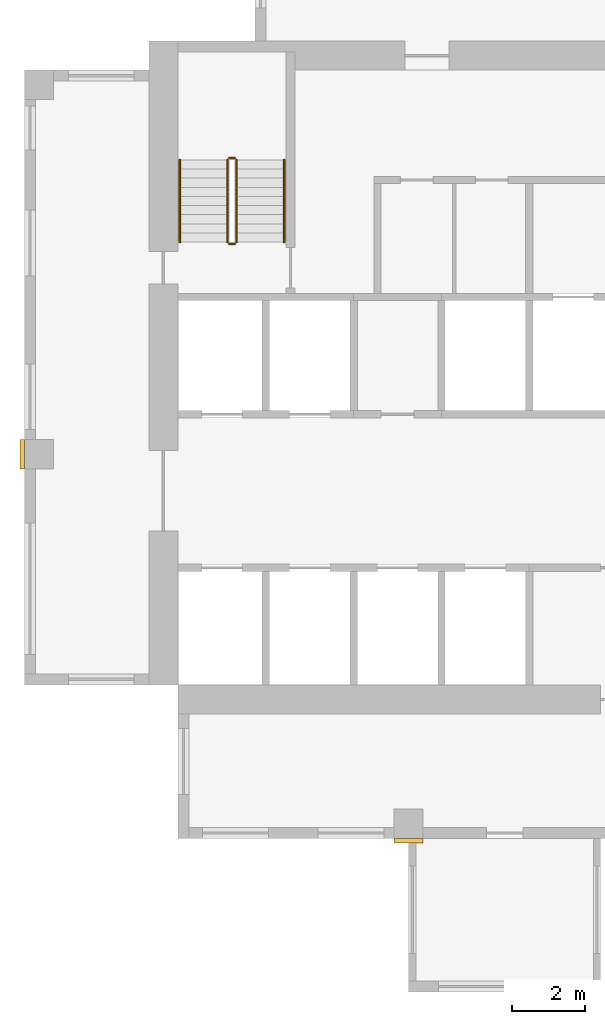
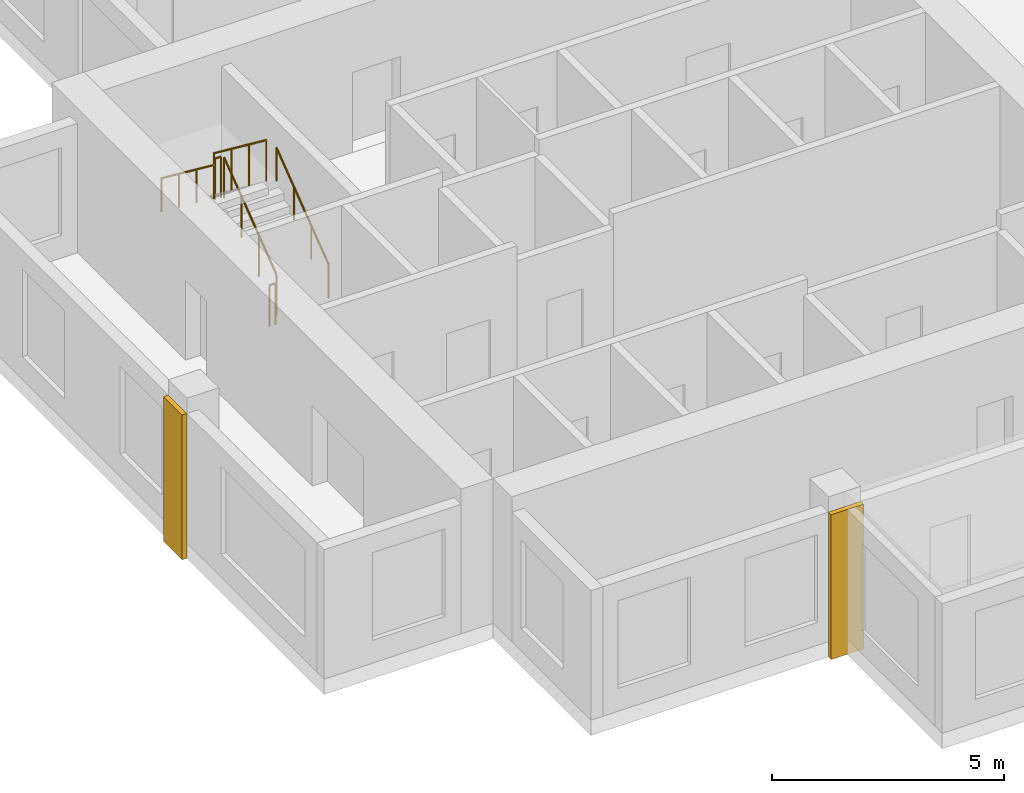
# One storey, part 9 of 11: 6 railings, 2 coverings.
"""IFC4 building model written with IfcOpenShell, lengths in metres."""

import ifcopenshell
import ifcopenshell.guid

model = None  # the IFC model being written
_history = None  # IfcOwnerHistory: only IFC2X3 demands one
_inside = {}  # id of a spatial element -> (the spatial element, [elements in it])
_under = {}  # id of a project, library or spatial element -> (it, [spatial elements below it])
_declared = {}  # id of a project -> (the project, [libraries it declares])
_typed = {}  # id of a type object -> (the type object, [elements of that type])
_made_of = {}  # id of a material, layer set ... -> (it, [elements and type objects made of it])


def new_model(schema):
    """Start an empty IFC model of exactly this schema.

    Asked for "IFC4X3", IfcOpenShell would pick the latest addendum, in which some entities
    have other attributes; the version numbers below select the first issue.
    IFC2X3 requires an IfcOwnerHistory on every rooted entity: one is made here for all.
    """
    global model, _history
    if schema == "IFC4X3":
        model = ifcopenshell.file(schema_version=(4, 3, 0, 0))
    else:
        model = ifcopenshell.file(schema=schema)
    _inside.clear()
    _under.clear()
    _declared.clear()
    _typed.clear()
    _made_of.clear()
    _history = None
    if model.schema == "IFC2X3":
        org = make("IfcOrganization", Name="unknown")
        user = make(
            "IfcPersonAndOrganization",
            ThePerson=make("IfcPerson", FamilyName="unknown"),
            TheOrganization=org,
        )
        app = make(
            "IfcApplication",
            ApplicationDeveloper=org,
            Version="unknown",
            ApplicationFullName="unknown",
            ApplicationIdentifier="unknown",
        )
        _history = make(
            "IfcOwnerHistory",
            OwningUser=user,
            OwningApplication=app,
            ChangeAction="ADDED",
            CreationDate=0,
        )
    return model


def make(cls, **values):
    """One entity of the class cls with the attributes given. An attribute that is None is left unset."""
    return model.create_entity(
        cls, **{name: value for name, value in values.items() if value is not None}
    )


def rooted(cls, **values):
    """An entity with a GlobalId (a new one), such as an element, a storey or a relation."""
    return make(cls, GlobalId=ifcopenshell.guid.new(), OwnerHistory=_history, **values)


def si_unit(unit_type, name, prefix=None):
    """IfcSIUnit, for example si_unit("LENGTHUNIT", "METRE", prefix="MILLI")."""
    return make("IfcSIUnit", UnitType=unit_type, Prefix=prefix, Name=name)


def assignment(units):
    """IfcUnitAssignment: the units of a project."""
    return None if units is None else make("IfcUnitAssignment", Units=units)


def point(xyz):
    """IfcCartesianPoint."""
    return None if xyz is None else make("IfcCartesianPoint", Coordinates=xyz)


def direction(xyz):
    """IfcDirection."""
    return None if xyz is None else make("IfcDirection", DirectionRatios=xyz)


def frame(location, z_axis=None, x_axis=None):
    """IfcAxis2Placement3D, a coordinate frame: its origin and axes. An axis left out is left unset."""
    return make(
        "IfcAxis2Placement3D",
        Location=point(location),
        Axis=direction(z_axis),
        RefDirection=direction(x_axis),
    )


def frame_2d(location, x_axis=None):
    """IfcAxis2Placement2D, a coordinate frame in the plane: its origin and x axis."""
    return make(
        "IfcAxis2Placement2D", Location=point(location), RefDirection=direction(x_axis)
    )


def origin():
    """The frame at (0, 0, 0) with its axes left unset."""
    return frame((0.0, 0.0, 0.0))


def origin_2d():
    """The frame at (0, 0) in the plane with its x axis left unset."""
    return frame_2d((0.0, 0.0))


def place(relative_to, where):
    """IfcLocalPlacement: puts the frame where relative to a parent placement (None: the world)."""
    return make(
        "IfcLocalPlacement", PlacementRelTo=relative_to, RelativePlacement=where
    )


def context(
    kind, dimensions, precision=None, world=None, true_north=None, identifier=None
):
    """IfcGeometricRepresentationContext, for example the 3D "Model" context."""
    return make(
        "IfcGeometricRepresentationContext",
        ContextIdentifier=identifier,
        ContextType=kind,
        CoordinateSpaceDimension=dimensions,
        Precision=precision,
        WorldCoordinateSystem=world,
        TrueNorth=true_north,
    )


def subcontext(parent, identifier, kind, view, scale=None):
    """IfcGeometricRepresentationSubContext, for example "Body" below "Model"."""
    return make(
        "IfcGeometricRepresentationSubContext",
        ContextIdentifier=identifier,
        ContextType=kind,
        ParentContext=parent,
        TargetScale=scale,
        TargetView=view,
    )


def project(units=None, contexts=None):
    """IfcProject with its units and contexts."""
    return rooted(
        "IfcProject",
        Name="project",
        RepresentationContexts=contexts,
        UnitsInContext=assignment(units),
    )


def spatial(cls, under=None, at=None, **own):
    """A site, building, storey or space (cls), placed at a placement, below another one or the project."""
    s = rooted(cls, ObjectPlacement=at, **own)
    if under is not None:
        _under.setdefault(under.id(), (under, []))[1].append(s)
    return s


def profile(cls, at=None, kind="AREA", **sizes):
    """A parametric profile (cls). Its sizes go by their IFC names, for example OverallWidth=200.0."""
    return make(cls, ProfileType=kind, Position=at, **sizes)


def rectangle(**sizes):
    """IfcRectangleProfileDef."""
    return profile("IfcRectangleProfileDef", **sizes)


def circle(**sizes):
    """IfcCircleProfileDef."""
    return profile("IfcCircleProfileDef", **sizes)


def extrude(swept, where, along, depth):
    """IfcExtrudedAreaSolid: the profile swept, set in the frame where, extruded along a direction by depth."""
    return make(
        "IfcExtrudedAreaSolid",
        SweptArea=swept,
        Position=where,
        ExtrudedDirection=direction(along),
        Depth=depth,
    )


def shape(context_of_items, identifier, shape_type, items):
    """IfcShapeRepresentation: the items that make up one representation, for example the "Body"."""
    return make(
        "IfcShapeRepresentation",
        ContextOfItems=context_of_items,
        RepresentationIdentifier=identifier,
        RepresentationType=shape_type,
        Items=items,
    )


def source(mapping_origin, context_of_items, identifier, shape_type, items):
    """IfcRepresentationMap: a shape defined once, which mapped items show again and again."""
    return make(
        "IfcRepresentationMap",
        MappingOrigin=mapping_origin,
        MappedRepresentation=shape(context_of_items, identifier, shape_type, items),
    )


def transform(
    local_origin,
    x_axis=None,
    y_axis=None,
    z_axis=None,
    scale=None,
    scale2=None,
    scale3=None,
    uniform=True,
):
    """IfcCartesianTransformationOperator3D, or its non-uniform kind. x_axis, y_axis, z_axis: its Axis1, 2, 3."""
    if uniform:
        return make(
            "IfcCartesianTransformationOperator3D",
            Axis1=direction(x_axis),
            Axis2=direction(y_axis),
            LocalOrigin=point(local_origin),
            Scale=scale,
            Axis3=direction(z_axis),
        )
    return make(
        "IfcCartesianTransformationOperator3DnonUniform",
        Axis1=direction(x_axis),
        Axis2=direction(y_axis),
        LocalOrigin=point(local_origin),
        Scale=scale,
        Axis3=direction(z_axis),
        Scale2=scale2,
        Scale3=scale3,
    )


def mapped(mapping_source, mapping_target):
    """IfcMappedItem: shows the shape of a source again, moved by a transform."""
    return make(
        "IfcMappedItem", MappingSource=mapping_source, MappingTarget=mapping_target
    )


def material(Name=None, Category=None):
    """IfcMaterial."""
    return make("IfcMaterial", Name=Name, Category=Category)


def made_of(thing, what):
    """Note that an element or type object is made of a material, layer set ...; save() writes the relation."""
    if what is not None:
        _made_of.setdefault(what.id(), (what, []))[1].append(thing)
    return thing


def type_object(cls, material=None, **own):
    """A type object (cls), such as IfcWallType, which elements share."""
    return made_of(rooted(cls, **own), material)


def element(
    cls,
    number,
    at=None,
    inside=None,
    cuts=None,
    type_object=None,
    material=None,
    context=None,
    identifier="Body",
    shape_type=None,
    held_by="IfcProductDefinitionShape",
    body=None,
    shapes=None,
    **own,
):
    """One element of the class cls, such as IfcWall. Its Tag is "e" and its number.

    at: its placement. inside: the storey or other place that contains it. cuts: it is an
    opening in that element (IfcRelVoidsElement). A single representation is given by context,
    identifier, shape_type and body (its items); several are given by shapes. held_by: the class
    of the entity that holds the representations. save() writes the other relations.
    """
    e = rooted(cls, Tag="e%d" % number, ObjectPlacement=at, **own)
    if body is not None:
        shapes = [shape(context, identifier, shape_type, body)]
    if shapes is not None:
        e.Representation = make(held_by, Representations=shapes)
    if inside is not None:
        _inside.setdefault(inside.id(), (inside, []))[1].append(e)
    if cuts is not None:
        rooted(
            "IfcRelVoidsElement", RelatingBuildingElement=cuts, RelatedOpeningElement=e
        )
    if type_object is not None:
        _typed.setdefault(type_object.id(), (type_object, []))[1].append(e)
    return made_of(e, material)


def aggregate(whole, parts):
    """IfcRelAggregates: a whole, such as a stair, and the parts it consists of."""
    return rooted("IfcRelAggregates", RelatingObject=whole, RelatedObjects=parts)


def save(model, path):
    """Write the relations noted so far, then the file.

    IfcRelAggregates (storeys below a building ...), IfcRelContainedInSpatialStructure (elements
    in a storey), IfcRelDefinesByType, IfcRelAssociatesMaterial and IfcRelDeclares: one each for
    every whole, place, type object, material and project.
    """
    for whole, parts in _under.values():
        aggregate(whole, parts)
    for where, things in _inside.values():
        rooted(
            "IfcRelContainedInSpatialStructure",
            RelatedElements=things,
            RelatingStructure=where,
        )
    for kind, things in _typed.values():
        rooted("IfcRelDefinesByType", RelatedObjects=things, RelatingType=kind)
    for what, things in _made_of.values():
        rooted("IfcRelAssociatesMaterial", RelatedObjects=things, RelatingMaterial=what)
    for by, libraries in _declared.values():
        rooted("IfcRelDeclares", RelatingContext=by, RelatedDefinitions=libraries)
    model.write(path)


model = new_model("IFC4")

# Units and contexts
model_context = context("Model", 3, precision=1e-05, world=origin(), true_north=direction((0.0, 1.0)))
body_context = subcontext(model_context, "Body", "Model", "MODEL_VIEW")
ifc_project = project(units=[si_unit("LENGTHUNIT", "METRE"), si_unit("AREAUNIT", "SQUARE_METRE"), si_unit("VOLUMEUNIT", "CUBIC_METRE"), si_unit("PLANEANGLEUNIT", "RADIAN"), si_unit("MASSUNIT", "GRAM", prefix="KILO")], contexts=[model_context])

# Site, building, storey
site_placement = place(None, origin())
site = spatial("IfcSite", under=ifc_project, at=site_placement, CompositionType="ELEMENT")
building_placement = place(site_placement, origin())
building = spatial("IfcBuilding", under=site, at=building_placement, Name="Aurelian Terraces", CompositionType="ELEMENT")
storey_placement = place(building_placement, frame((0.0, 0.0, 257.6)))
storey = spatial("IfcBuildingStorey", under=building, at=storey_placement, Name="L59", CompositionType="ELEMENT", Elevation=257.6)

# Coverings
ifc_material_1 = material(Name="Terracotta rainscreen cladding relief", Category="masonry")
covering_type = type_object("IfcCoveringType", Name="BAGUETTE-TC", PredefinedType="CLADDING", material=ifc_material_1)
shared_shape_1 = source(origin(), body_context, "Body", "SweptSolid", [
    extrude(rectangle(XDim=0.8, YDim=0.12, at=origin_2d()), origin(), (0.0, 0.0, 1.0), 3.8),
])
covering_1_placement = place(storey_placement, frame((10.5, -0.06, -0.4), z_axis=(0.0, 0.0, 1.0), x_axis=(1.0, 0.0, 0.0)))
element("IfcCovering", 1, at=covering_1_placement, inside=storey, type_object=covering_type, Name="BAGUETTE pier L59 1", PredefinedType="CLADDING", context=body_context, shape_type="MappedRepresentation", body=[
    mapped(shared_shape_1, transform((0.0, 0.0, 0.0), scale=1.0)),
])
shared_shape_2 = source(origin(), body_context, "Body", "SweptSolid", [
    extrude(rectangle(XDim=0.12, YDim=0.8, at=origin_2d()), origin(), (0.0, 0.0, 1.0), 3.8),
])
covering_2_placement = place(storey_placement, frame((-0.06, 10.5, -0.4), z_axis=(0.0, 0.0, 1.0), x_axis=(1.0, 0.0, 0.0)))
element("IfcCovering", 2, at=covering_2_placement, inside=storey, type_object=covering_type, Name="BAGUETTE pier L59 3", PredefinedType="CLADDING", context=body_context, shape_type="MappedRepresentation", body=[
    mapped(shared_shape_2, transform((0.0, 0.0, 0.0), scale=1.0)),
])

# Railings
ifc_material_2 = material(Name="Stainless steel", Category="steel")
railing_type_1 = type_object("IfcRailingType", Name="Stair guard 1100", PredefinedType="GUARDRAIL", material=ifc_material_2)
shared_shape_3 = source(origin(), body_context, "Body", "SweptSolid", [
    extrude(circle(Radius=0.024, at=origin_2d()), frame((0.0, 0.0, 1.076), z_axis=(-1.0, 0.0, 0.0), x_axis=(0.0, -1.0, 0.0)), (0.0, 0.0, 1.0), 0.15),
    extrude(circle(Radius=0.021, at=origin_2d()), origin(), (0.0, 0.0, 1.0), 1.052),
    extrude(circle(Radius=0.021, at=origin_2d()), frame((-0.15, 0.0, 0.0)), (0.0, 0.0, 1.0), 1.052),
])
for number, where, name in (
    (3, (5.75, 18.6, 1.9), "L59 S1 stair guard 2"),
    (4, (5.75, 16.25, 0.0), "L59 S1 stair guard 4"),
):
    element("IfcRailing", number, at=place(storey_placement, frame(where)), inside=storey, type_object=railing_type_1, Name=name, PredefinedType="GUARDRAIL", context=body_context, shape_type="MappedRepresentation", body=[
        mapped(shared_shape_3, transform((0.0, 0.0, 0.0), scale=1.0)),
    ])
shared_shape_4 = source(origin(), body_context, "Body", "SweptSolid", [
    extrude(circle(Radius=0.024, at=origin_2d()), frame((0.0, 0.0, 1.076), z_axis=(0.0, 0.796162194123, 0.605083267534), x_axis=(-1.0, 0.0, 0.0)), (0.0, 0.0, 1.0), 2.8261),
    extrude(circle(Radius=0.021, at=origin_2d()), origin(), (0.0, 0.0, 1.0), 1.052),
    extrude(circle(Radius=0.021, at=origin_2d()), frame((0.0, 0.75, 0.57)), (0.0, 0.0, 1.0), 1.052),
    extrude(circle(Radius=0.021, at=origin_2d()), frame((0.0, 1.5, 1.14)), (0.0, 0.0, 1.0), 1.052),
    extrude(circle(Radius=0.021, at=origin_2d()), frame((0.0, 2.25, 1.71)), (0.0, 0.0, 1.0), 1.052),
])
railing_1_placement = place(storey_placement, frame((5.8, 16.3, 0.19)))
element("IfcRailing", 5, at=railing_1_placement, inside=storey, type_object=railing_type_1, Name="L59 S1 stair guard 1", PredefinedType="GUARDRAIL", context=body_context, shape_type="MappedRepresentation", body=[
    mapped(shared_shape_4, transform((0.0, 0.0, 0.0), scale=1.0)),
])
shared_shape_5 = source(origin(), body_context, "Body", "SweptSolid", [
    extrude(circle(Radius=0.024, at=origin_2d()), frame((0.0, 0.0, 1.076), z_axis=(0.0, -0.796162194123, 0.605083267534), x_axis=(1.0, 0.0, 0.0)), (0.0, 0.0, 1.0), 2.8261),
    extrude(circle(Radius=0.021, at=origin_2d()), origin(), (0.0, 0.0, 1.0), 1.052),
    extrude(circle(Radius=0.021, at=origin_2d()), frame((0.0, -0.75, 0.57)), (0.0, 0.0, 1.0), 1.052),
    extrude(circle(Radius=0.021, at=origin_2d()), frame((0.0, -1.5, 1.14)), (0.0, 0.0, 1.0), 1.052),
    extrude(circle(Radius=0.021, at=origin_2d()), frame((0.0, -2.25, 1.71)), (0.0, 0.0, 1.0), 1.052),
])
railing_2_placement = place(storey_placement, frame((5.55, 18.55, 2.09)))
element("IfcRailing", 6, at=railing_2_placement, inside=storey, type_object=railing_type_1, Name="L59 S1 stair guard 3", PredefinedType="GUARDRAIL", context=body_context, shape_type="MappedRepresentation", body=[
    mapped(shared_shape_5, transform((0.0, 0.0, 0.0), scale=1.0)),
])
railing_type_2 = type_object("IfcRailingType", Name="Stair handrail", PredefinedType="HANDRAIL", material=ifc_material_2)
shared_shape_6 = source(origin(), body_context, "Body", "SweptSolid", [
    extrude(circle(Radius=0.024, at=origin_2d()), frame((0.0, 0.0, 0.876), z_axis=(0.0, 0.796162194123, 0.605083267534), x_axis=(-1.0, 0.0, 0.0)), (0.0, 0.0, 1.0), 2.8261),
    extrude(circle(Radius=0.021, at=origin_2d()), origin(), (0.0, 0.0, 1.0), 0.852),
    extrude(circle(Radius=0.021, at=origin_2d()), frame((0.0, 0.75, 0.57)), (0.0, 0.0, 1.0), 0.852),
    extrude(circle(Radius=0.021, at=origin_2d()), frame((0.0, 1.5, 1.14)), (0.0, 0.0, 1.0), 0.852),
    extrude(circle(Radius=0.021, at=origin_2d()), frame((0.0, 2.25, 1.71)), (0.0, 0.0, 1.0), 0.852),
])
railing_3_placement = place(storey_placement, frame((7.1, 16.3, 0.19)))
element("IfcRailing", 7, at=railing_3_placement, inside=storey, type_object=railing_type_2, Name="L59 S1 stair handrail 1", PredefinedType="HANDRAIL", context=body_context, shape_type="MappedRepresentation", body=[
    mapped(shared_shape_6, transform((0.0, 0.0, 0.0), scale=1.0)),
])
shared_shape_7 = source(origin(), body_context, "Body", "SweptSolid", [
    extrude(circle(Radius=0.024, at=origin_2d()), frame((0.0, 0.0, 0.876), z_axis=(0.0, -0.796162194123, 0.605083267534), x_axis=(1.0, 0.0, 0.0)), (0.0, 0.0, 1.0), 2.8261),
    extrude(circle(Radius=0.021, at=origin_2d()), origin(), (0.0, 0.0, 1.0), 0.852),
    extrude(circle(Radius=0.021, at=origin_2d()), frame((0.0, -0.75, 0.57)), (0.0, 0.0, 1.0), 0.852),
    extrude(circle(Radius=0.021, at=origin_2d()), frame((0.0, -1.5, 1.14)), (0.0, 0.0, 1.0), 0.852),
    extrude(circle(Radius=0.021, at=origin_2d()), frame((0.0, -2.25, 1.71)), (0.0, 0.0, 1.0), 0.852),
])
railing_4_placement = place(storey_placement, frame((4.25, 18.55, 2.09)))
element("IfcRailing", 8, at=railing_4_placement, inside=storey, type_object=railing_type_2, Name="L59 S1 stair handrail 2", PredefinedType="HANDRAIL", context=body_context, shape_type="MappedRepresentation", body=[
    mapped(shared_shape_7, transform((0.0, 0.0, 0.0), scale=1.0)),
])

save(model, "model.ifc")
